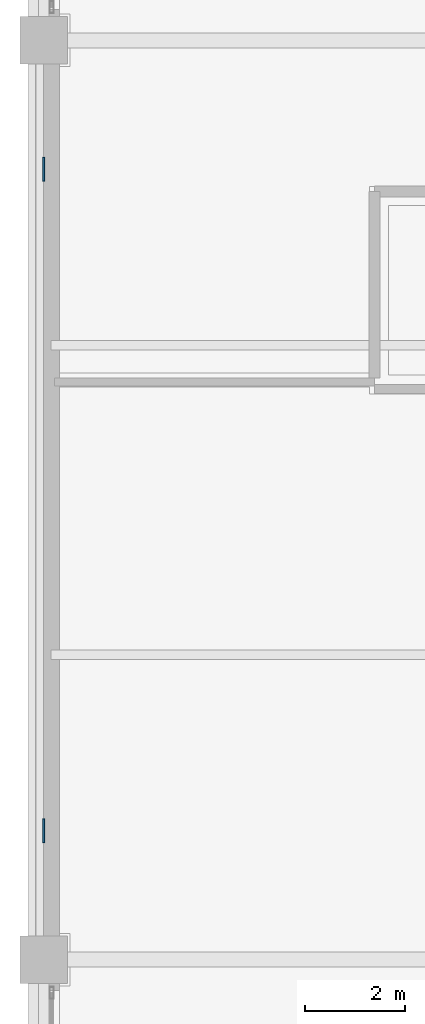
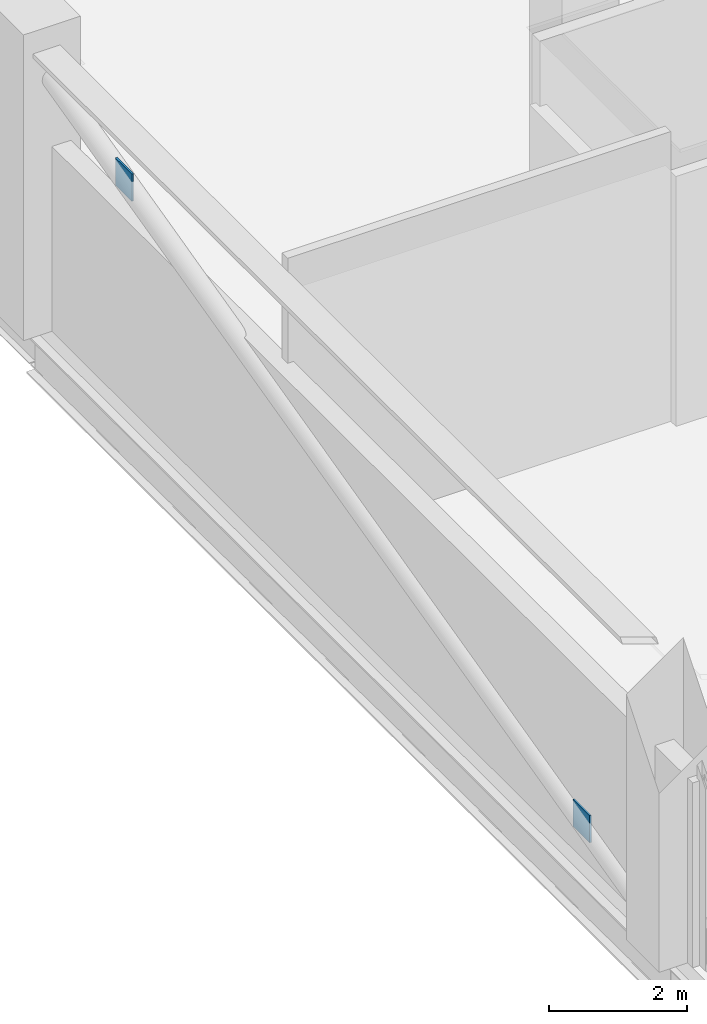
# One storey, part 25 of 39: 2 plates.
"""IFC4 building model written with IfcOpenShell, lengths in metres."""

from ifc_helpers import new_model, si_unit, direction, frame, origin, origin_2d, place, context, subcontext, project, spatial, rectangle, extrude, material, layer, layer_set, type_object, element, save


model = new_model("IFC4")

# Units and contexts
model_context = context("Model", 3, precision=1e-05, world=origin(), true_north=direction((0.0, 1.0)))
body_context = subcontext(model_context, "Body", "Model", "MODEL_VIEW")
ifc_project = project(units=[si_unit("LENGTHUNIT", "METRE"), si_unit("AREAUNIT", "SQUARE_METRE"), si_unit("VOLUMEUNIT", "CUBIC_METRE"), si_unit("PLANEANGLEUNIT", "RADIAN"), si_unit("MASSUNIT", "GRAM", prefix="KILO")], contexts=[model_context])

# Site, building, storey
site_placement = place(None, origin())
site = spatial("IfcSite", under=ifc_project, at=site_placement, CompositionType="ELEMENT")
building_placement = place(site_placement, origin())
building = spatial("IfcBuilding", under=site, at=building_placement, Name="Punatoya Terracotta Tower", CompositionType="ELEMENT")
storey_placement = place(building_placement, frame((0.0, 0.0, 11.39990234375)))
storey = spatial("IfcBuildingStorey", under=building, at=storey_placement, Name="L02", CompositionType="ELEMENT", Elevation=11.39990234375)

# Plates
ifc_material = material(Name="Steel S460", Category="steel")
ifc_layer = layer(ifc_material, 0.031982421875)
ifc_layer_set = layer_set([ifc_layer], Name="Steel S460")
plate_type = type_object("IfcPlateType", Name="PLT-END-32", PredefinedType="USERDEFINED", material=ifc_layer_set)
for number, where, z_axis, x_axis, name in (
    (1, (-37.0, -6.6240234375, 0.42138671875), (0.0, 0.0, 1.0), (1.0, 0.0, 0.0), "L02 Podium Brace PBR-1 End Connection Plate 1"),
    (2, (-37.0, 6.6240234375, 3.718994140625), (0.0, 0.0, 1.0), (1.0, 0.0, 0.0), "L02 Podium Brace PBR-1 End Connection Plate 2"),
):
    element("IfcPlate", number, at=place(storey_placement, frame(where, z_axis=z_axis, x_axis=x_axis)), inside=storey, type_object=plate_type, Name=name, ObjectType="FLANGE_PLATE", PredefinedType="USERDEFINED", context=body_context, shape_type="SweptSolid", body=[
        extrude(rectangle(XDim=0.031982421875, YDim=0.47998046875, at=origin_2d()), origin(), (0.0, 0.0, 1.0), 0.47998046875),
    ])

save(model, "model.ifc")
